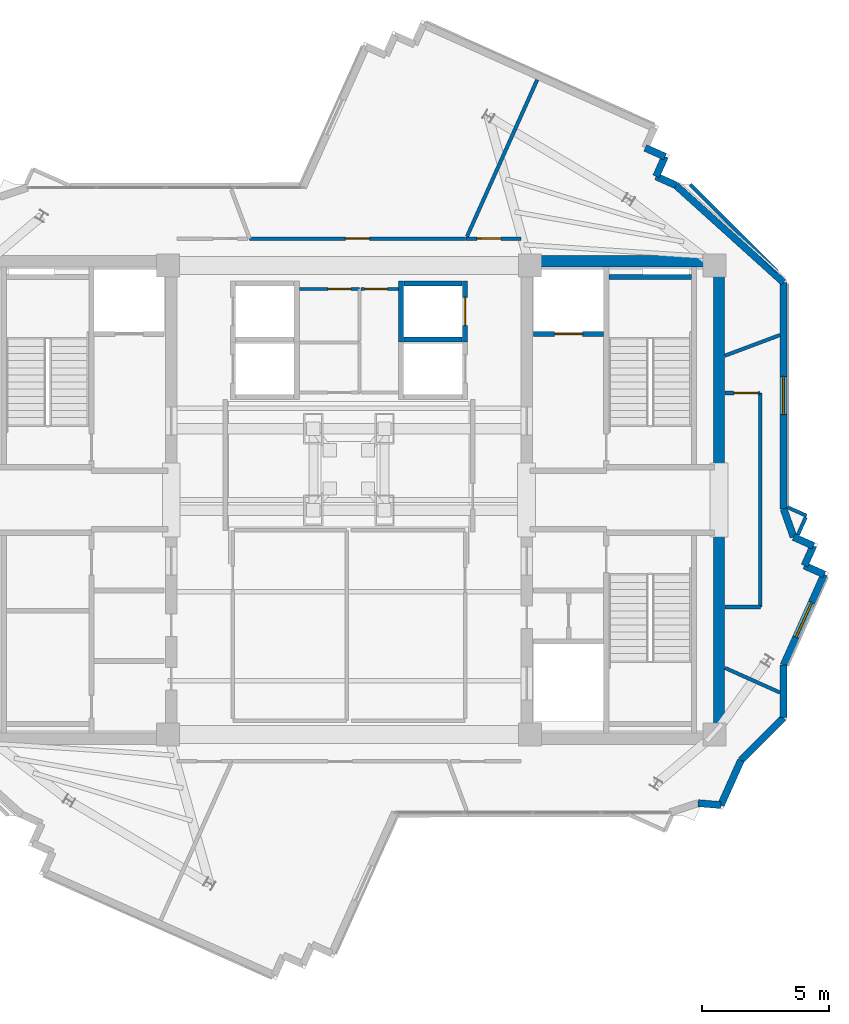
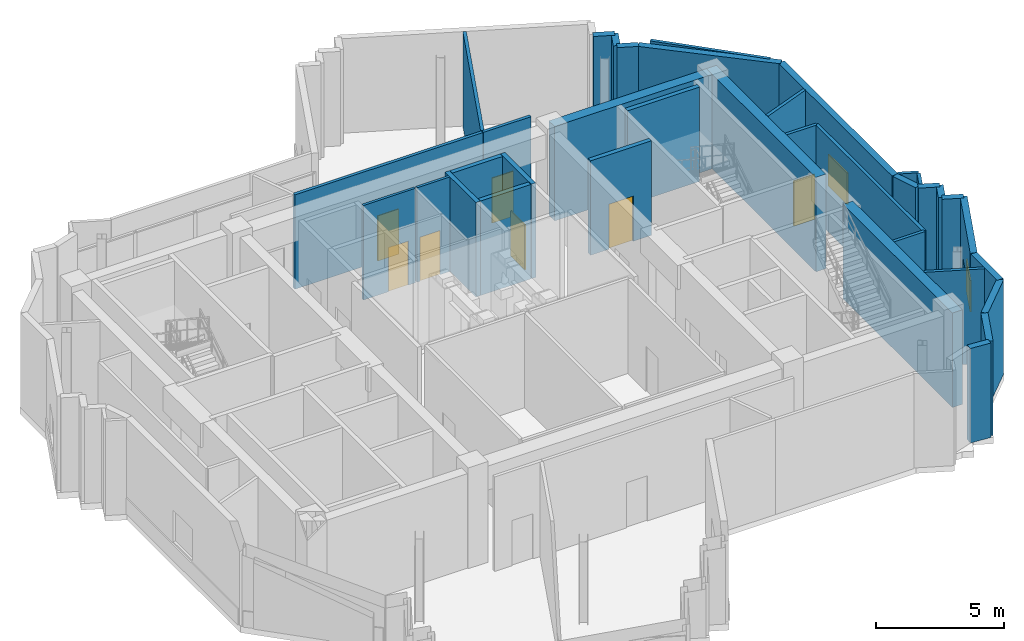
# One storey, part 8 of 11: 36 walls, 7 doors, 2 windows, 9 openings.
"""IFC4 building model written with IfcOpenShell, lengths in metres."""

from ifc_helpers import new_model, si_unit, direction, frame, frame_2d, origin, place, context, subcontext, project, spatial, rectangle, extrude, source, transform, mapped, material, layer, layer_set, type_object, element, fill, save


model = new_model("IFC4")

# Units and contexts
model_context = context("Model", 3, precision=1e-05, world=origin(), true_north=direction((0.0, 1.0)))
body_context = subcontext(model_context, "Body", "Model", "MODEL_VIEW")
ifc_project = project(units=[si_unit("LENGTHUNIT", "METRE"), si_unit("AREAUNIT", "SQUARE_METRE"), si_unit("VOLUMEUNIT", "CUBIC_METRE"), si_unit("PLANEANGLEUNIT", "RADIAN"), si_unit("MASSUNIT", "GRAM", prefix="KILO")], contexts=[model_context])

# Site, building, storey
site_placement = place(None, origin())
site = spatial("IfcSite", under=ifc_project, at=site_placement, CompositionType="ELEMENT")
building_placement = place(site_placement, origin())
building = spatial("IfcBuilding", under=site, at=building_placement, Name="Zahravan Cultural Tower", CompositionType="ELEMENT")
storey_placement = place(building_placement, frame((0.0, 0.0, 361.050048828125)))
storey = spatial("IfcBuildingStorey", under=building, at=storey_placement, Name="L88", CompositionType="ELEMENT", Elevation=361.050048828125)

# Wall, opening, window
ifc_material_1 = material(Name="Precast concrete C40/50", Category="concrete")
ifc_layer_1 = layer(ifc_material_1, 0.280029296875)
ifc_layer_set_1 = layer_set([ifc_layer_1], Name="Precast concrete C40/50")
wall_type_1 = type_object("IfcWallType", Name="EW-TC-280", PredefinedType="SOLIDWALL", material=ifc_layer_set_1)
wall_1_placement = place(storey_placement, frame((53.06005859375, 35.5419921875, 0.0), z_axis=(0.0, 0.0, 1.0), x_axis=(0.0, -1.0, 0.0)))
wall_1 = element("IfcWall", 1, at=wall_1_placement, inside=storey, type_object=wall_type_1, Name="L88 Exterior Masonry Frame Wall 24", PredefinedType="SOLIDWALL", context=body_context, shape_type="SweptSolid", body=[
    extrude(rectangle(XDim=8.887451171875, YDim=0.280029296875, at=frame_2d((4.44384765625, 0.0))), origin(), (0.0, 0.0, 1.0), 4.5),
])
opening_1_placement = place(wall_1_placement, frame((3.694091796875, 0.0, 0.85009765625)))
opening_1 = element("IfcOpeningElement", 2, at=opening_1_placement, cuts=wall_1, Name="Opening WN-03", PredefinedType="OPENING", context=body_context, shape_type="SweptSolid", body=[
    extrude(rectangle(XDim=1.5, YDim=1.5, at=frame_2d((0.75, 0.75))), frame((0.0, 0.14990234375, 0.0), z_axis=(0.0, -1.0, 0.0), x_axis=(1.0, 0.0, 0.0)), (0.0, 0.0, 1.0), 0.300048828125),
])
ifc_material_2 = material(Name="Low-E solar-control double glazing", Category="glass")
window_type = type_object("IfcWindowType", Name="WN-REC-1500X1500", PartitioningType="SINGLE_PANEL", PredefinedType="WINDOW", material=ifc_material_2)
shared_shape_1 = source(origin(), body_context, "Body", "SweptSolid", [
    extrude(rectangle(XDim=1.5, YDim=1.5, at=frame_2d((0.75, 0.75))), frame((0.0, 0.030029296875, 0.0), z_axis=(0.0, -1.0, 0.0), x_axis=(1.0, 0.0, 0.0)), (0.0, 0.0, 1.0), 0.06005859375),
])
window_1_placement = place(opening_1_placement, origin())
window_1 = element("IfcWindow", 3, at=window_1_placement, inside=storey, type_object=window_type, Name="L88 Recessed Solar Window 04", OverallHeight=1.5, OverallWidth=1.5, PartitioningType="SINGLE_PANEL", PredefinedType="WINDOW", context=body_context, shape_type="MappedRepresentation", body=[
    mapped(shared_shape_1, transform((0.0, 0.0, 0.0), x_axis=(1.0, 0.0, 0.0), y_axis=(0.0, 1.0, 0.0), z_axis=(0.0, 0.0, 1.0), scale=1.0)),
])
fill(opening_1, window_1)

wall_2_placement = place(storey_placement, frame((54.655517578125, 24.0771484375, 0.0), z_axis=(0.0, 0.0, 1.0), x_axis=(-0.408847516138, -0.912602711232, 0.0)))
wall_2 = element("IfcWall", 4, at=wall_2_placement, inside=storey, type_object=wall_type_1, Name="L88 Exterior Masonry Frame Wall 29", PredefinedType="SOLIDWALL", context=body_context, shape_type="SweptSolid", body=[
    extrude(rectangle(XDim=3.90234375, YDim=0.280029296875, at=frame_2d((1.951171875, 0.0))), origin(), (0.0, 0.0, 1.0), 4.5),
])
opening_2_placement = place(wall_2_placement, frame((1.200927734375, 0.0, 0.85009765625)))
opening_2 = element("IfcOpeningElement", 5, at=opening_2_placement, cuts=wall_2, Name="Opening WN-03", PredefinedType="OPENING", context=body_context, shape_type="SweptSolid", body=[
    extrude(rectangle(XDim=1.5, YDim=1.5, at=frame_2d((0.75, 0.75))), frame((0.0, 0.14990234375, 0.0), z_axis=(0.0, -1.0, 0.0), x_axis=(1.0, 0.0, 0.0)), (0.0, 0.0, 1.0), 0.300048828125),
])
window_2_placement = place(opening_2_placement, origin())
window_2 = element("IfcWindow", 6, at=window_2_placement, inside=storey, type_object=window_type, Name="L88 Recessed Solar Window 05", OverallHeight=1.5, OverallWidth=1.5, PartitioningType="SINGLE_PANEL", PredefinedType="WINDOW", context=body_context, shape_type="MappedRepresentation", body=[
    mapped(shared_shape_1, transform((0.0, 0.0, 0.0), x_axis=(1.0, 0.0, 0.0), y_axis=(0.0, 1.0, 0.0), z_axis=(0.0, 0.0, 1.0), scale=1.0)),
])
fill(opening_2, window_2)

# Wall, opening, door
ifc_material_3 = material(Name="Gypsum plasterboard partition")
ifc_layer_2 = layer(ifc_material_3, 0.139892578125)
ifc_layer_set_2 = layer_set([ifc_layer_2], Name="Gypsum plasterboard partition")
wall_type_2 = type_object("IfcWallType", Name="W-PART-140", PredefinedType="PARTITIONING", material=ifc_layer_set_2)
wall_3_placement = place(storey_placement, frame((52.13671875, 31.1953125, 0.0), z_axis=(0.0, 0.0, 1.0), x_axis=(-0.999994943164, 0.003180195932, 0.0)))
wall_3 = element("IfcWall", 7, at=wall_3_placement, inside=storey, type_object=wall_type_2, Name="L88 Interior Wall 058", PredefinedType="PARTITIONING", context=body_context, shape_type="SweptSolid", body=[
    extrude(rectangle(XDim=1.3818359375, YDim=0.139892578125, at=frame_2d((0.69091796875, 0.0))), origin(), (0.0, 0.0, 1.0), 4.5),
])
opening_3_placement = place(wall_3_placement, frame((0.0810546875, 0.0, 0.0)))
opening_3 = element("IfcOpeningElement", 8, at=opening_3_placement, cuts=wall_3, Name="Opening D-L88-26", PredefinedType="OPENING", context=body_context, shape_type="SweptSolid", body=[
    extrude(rectangle(XDim=0.949951171875, YDim=2.14990234375, at=frame_2d((0.47509765625, 1.074951171875))), frame((0.0, 0.079833984375, 0.0), z_axis=(0.0, -1.0, 0.0), x_axis=(1.0, 0.0, 0.0)), (0.0, 0.0, 1.0), 0.159912109375),
])
ifc_material_4 = material(Name="Anodised bronze-aluminium mullion", Category="aluminium")
door_type_1 = type_object("IfcDoorType", Name="DR-ROOM-950", OperationType="NOTDEFINED", PredefinedType="DOOR", material=ifc_material_4)
shared_shape_2 = source(origin(), body_context, "Body", "SweptSolid", [
    extrude(rectangle(XDim=0.949951171875, YDim=2.14990234375, at=frame_2d((0.47509765625, 1.074951171875))), frame((0.0, 0.02490234375, 0.0), z_axis=(0.0, -1.0, 0.0), x_axis=(1.0, 0.0, 0.0)), (0.0, 0.0, 1.0), 0.050048828125),
])
door_1_placement = place(opening_3_placement, origin())
door_1 = element("IfcDoor", 9, at=door_1_placement, inside=storey, type_object=door_type_1, Name="L88 Door D-L88-26", OperationType="SINGLE_SWING_RIGHT", OverallHeight=2.14990234375, OverallWidth=0.949951171875, PredefinedType="DOOR", context=body_context, shape_type="MappedRepresentation", body=[
    mapped(shared_shape_2, transform((0.0, 0.0, 0.0), x_axis=(1.0, 0.0, 0.0), y_axis=(0.0, 1.0, 0.0), z_axis=(0.0, 0.0, 1.0), scale=1.0)),
])
fill(opening_3, door_1)

wall_4_placement = place(storey_placement, frame((42.74658203125, 37.2587890625, 0.0), z_axis=(0.0, 0.0, 1.0), x_axis=(-0.999999838805, 0.000567794594, 0.0)))
wall_4 = element("IfcWall", 10, at=wall_4_placement, inside=storey, type_object=wall_type_2, Name="L88 Interior Wall 083", PredefinedType="PARTITIONING", context=body_context, shape_type="SweptSolid", body=[
    extrude(rectangle(XDim=2.14990234375, YDim=0.139892578125, at=frame_2d((1.074951171875, 0.0))), origin(), (0.0, 0.0, 1.0), 4.5),
])
opening_4_placement = place(wall_4_placement, frame((0.780029296875, 0.0, 0.0)))
opening_4 = element("IfcOpeningElement", 11, at=opening_4_placement, cuts=wall_4, Name="Opening D-L88-19", PredefinedType="OPENING", context=body_context, shape_type="SweptSolid", body=[
    extrude(rectangle(XDim=0.949951171875, YDim=2.14990234375, at=frame_2d((0.47509765625, 1.074951171875))), frame((0.0, 0.079833984375, 0.0), z_axis=(0.0, -1.0, 0.0), x_axis=(1.0, 0.0, 0.0)), (0.0, 0.0, 1.0), 0.159912109375),
])
door_2_placement = place(opening_4_placement, origin())
door_2 = element("IfcDoor", 12, at=door_2_placement, inside=storey, type_object=door_type_1, Name="L88 Door D-L88-19", OperationType="SINGLE_SWING_LEFT", OverallHeight=2.14990234375, OverallWidth=0.949951171875, PredefinedType="DOOR", context=body_context, shape_type="MappedRepresentation", body=[
    mapped(shared_shape_2, transform((0.0, 0.0, 0.0), x_axis=(1.0, 0.0, 0.0), y_axis=(0.0, 1.0, 0.0), z_axis=(0.0, 0.0, 1.0), scale=1.0)),
])
fill(opening_4, door_2)

wall_5_placement = place(storey_placement, frame((40.57470703125, 37.260009765625, 0.0), z_axis=(0.0, 0.0, 1.0), x_axis=(-1.0, 0.0, 0.0)))
wall_5 = element("IfcWall", 13, at=wall_5_placement, inside=storey, type_object=wall_type_2, Name="L88 Interior Wall 089", PredefinedType="PARTITIONING", context=body_context, shape_type="SweptSolid", body=[
    extrude(rectangle(XDim=8.4716796875, YDim=0.139892578125, at=frame_2d((4.23583984375, 0.0))), origin(), (0.0, 0.0, 1.0), 4.5),
])
opening_5_placement = place(wall_5_placement, frame((3.760986328125, 0.0, 0.0)))
opening_5 = element("IfcOpeningElement", 14, at=opening_5_placement, cuts=wall_5, Name="Opening D-L88-20", PredefinedType="OPENING", context=body_context, shape_type="SweptSolid", body=[
    extrude(rectangle(XDim=0.949951171875, YDim=2.14990234375, at=frame_2d((0.47509765625, 1.074951171875))), frame((0.0, 0.079833984375, 0.0), z_axis=(0.0, -1.0, 0.0), x_axis=(1.0, 0.0, 0.0)), (0.0, 0.0, 1.0), 0.159912109375),
])
door_3_placement = place(opening_5_placement, origin())
door_3 = element("IfcDoor", 15, at=door_3_placement, inside=storey, type_object=door_type_1, Name="L88 Door D-L88-20", OperationType="SINGLE_SWING_RIGHT", OverallHeight=2.14990234375, OverallWidth=0.949951171875, PredefinedType="DOOR", context=body_context, shape_type="MappedRepresentation", body=[
    mapped(shared_shape_2, transform((0.0, 0.0, 0.0), x_axis=(1.0, 0.0, 0.0), y_axis=(0.0, 1.0, 0.0), z_axis=(0.0, 0.0, 1.0), scale=1.0)),
])
fill(opening_5, door_3)

ifc_material_5 = material(Name="Concrete C45/55", Category="concrete")
ifc_layer_3 = layer(ifc_material_5, 0.199951171875)
ifc_layer_set_3 = layer_set([ifc_layer_3], Name="Concrete C45/55")
wall_type_3 = type_object("IfcWallType", Name="W-SHAFT-200", PredefinedType="SOLIDWALL", material=ifc_layer_set_3)
wall_6_placement = place(storey_placement, frame((43.25, 33.52001953125, 0.0), z_axis=(0.0, 0.0, 1.0), x_axis=(1.0, 0.0, 0.0)))
wall_6 = element("IfcWall", 16, at=wall_6_placement, inside=storey, type_object=wall_type_3, Name="L88 Interior Wall 023", PredefinedType="SOLIDWALL", context=body_context, shape_type="SweptSolid", body=[
    extrude(rectangle(XDim=2.75, YDim=0.199951171875, at=frame_2d((1.375, 0.0))), origin(), (0.0, 0.0, 1.0), 4.5),
])
opening_6_placement = place(wall_6_placement, frame((0.820068359375, 0.0, 0.0)))
opening_6 = element("IfcOpeningElement", 17, at=opening_6_placement, cuts=wall_6, Name="Opening LD-L88-02", PredefinedType="OPENING", context=body_context, shape_type="SweptSolid", body=[
    extrude(rectangle(XDim=1.10009765625, YDim=2.14990234375, at=frame_2d((0.550048828125, 1.074951171875))), frame((0.0, 0.10986328125, 0.0), z_axis=(0.0, -1.0, 0.0), x_axis=(1.0, 0.0, 0.0)), (0.0, 0.0, 1.0), 0.219970703125),
])
ifc_material_6 = material(Name="Steel ASTM A572 Grade 50", Category="steel")
door_type_2 = type_object("IfcDoorType", Name="DR-LIFT-1100", OperationType="DOUBLE_DOOR_SLIDING", PredefinedType="DOOR", material=ifc_material_6)
shared_shape_3 = source(origin(), body_context, "Body", "SweptSolid", [
    extrude(rectangle(XDim=1.10009765625, YDim=2.14990234375, at=frame_2d((0.550048828125, 1.074951171875))), frame((0.0, 0.02490234375, 0.0), z_axis=(0.0, -1.0, 0.0), x_axis=(1.0, 0.0, 0.0)), (0.0, 0.0, 1.0), 0.050048828125),
])
door_4_placement = place(opening_6_placement, origin())
door_4 = element("IfcDoor", 18, at=door_4_placement, inside=storey, type_object=door_type_2, Name="L88 Door LD-L88-02", OperationType="DOUBLE_DOOR_SLIDING", OverallHeight=2.14990234375, OverallWidth=1.10009765625, PredefinedType="DOOR", context=body_context, shape_type="MappedRepresentation", body=[
    mapped(shared_shape_3, transform((0.0, 0.0, 0.0), x_axis=(1.0, 0.0, 0.0), y_axis=(0.0, 1.0, 0.0), z_axis=(0.0, 0.0, 1.0), scale=1.0)),
])
fill(opening_6, door_4)

wall_7_placement = place(storey_placement, frame((40.550048828125, 33.199951171875, 0.0), z_axis=(0.0, 0.0, 1.0), x_axis=(0.0, 1.0, 0.0)))
wall_7 = element("IfcWall", 19, at=wall_7_placement, inside=storey, type_object=wall_type_3, Name="L88 Interior Wall 037", PredefinedType="SOLIDWALL", context=body_context, shape_type="SweptSolid", body=[
    extrude(rectangle(XDim=2.400146484375, YDim=0.199951171875, at=frame_2d((1.2001953125, 0.0))), origin(), (0.0, 0.0, 1.0), 4.5),
])
opening_7_placement = place(wall_7_placement, frame((0.64990234375, 0.0, 0.0)))
opening_7 = element("IfcOpeningElement", 20, at=opening_7_placement, cuts=wall_7, Name="Opening LD-L88-06", PredefinedType="OPENING", context=body_context, shape_type="SweptSolid", body=[
    extrude(rectangle(XDim=1.10009765625, YDim=2.14990234375, at=frame_2d((0.550048828125, 1.074951171875))), frame((0.0, 0.10986328125, 0.0), z_axis=(0.0, -1.0, 0.0), x_axis=(1.0, 0.0, 0.0)), (0.0, 0.0, 1.0), 0.219970703125),
])
door_5_placement = place(opening_7_placement, origin())
door_5 = element("IfcDoor", 21, at=door_5_placement, inside=storey, type_object=door_type_2, Name="L88 Door LD-L88-06", OperationType="DOUBLE_DOOR_SLIDING", OverallHeight=2.14990234375, OverallWidth=1.10009765625, PredefinedType="DOOR", context=body_context, shape_type="MappedRepresentation", body=[
    mapped(shared_shape_3, transform((0.0, 0.0, 0.0), x_axis=(1.0, 0.0, 0.0), y_axis=(0.0, 1.0, 0.0), z_axis=(0.0, 0.0, 1.0), scale=1.0)),
])
fill(opening_7, door_5)

ifc_layer_4 = layer(ifc_material_3, 0.114990234375)
ifc_layer_set_4 = layer_set([ifc_layer_4], Name="Gypsum plasterboard partition")
wall_type_4 = type_object("IfcWallType", Name="W-WC-115", PredefinedType="PARTITIONING", material=ifc_layer_set_4)
wall_8_placement = place(storey_placement, frame((34.054931640625, 35.280029296875, 0.0), z_axis=(0.0, 0.0, 1.0), x_axis=(1.0, 0.0, 0.0)))
wall_8 = element("IfcWall", 22, at=wall_8_placement, inside=storey, type_object=wall_type_4, Name="L88 Interior Wall 046", PredefinedType="PARTITIONING", context=body_context, shape_type="SweptSolid", body=[
    extrude(rectangle(XDim=2.35498046875, YDim=0.114990234375, at=frame_2d((1.177490234375, 0.0))), origin(), (0.0, 0.0, 1.0), 4.5),
])
opening_8_placement = place(wall_8_placement, frame((1.120849609375, 0.0, 0.0)))
opening_8 = element("IfcOpeningElement", 23, at=opening_8_placement, cuts=wall_8, Name="Opening D-L88-16", PredefinedType="OPENING", context=body_context, shape_type="SweptSolid", body=[
    extrude(rectangle(XDim=0.89990234375, YDim=2.10009765625, at=frame_2d((0.449951171875, 1.050048828125))), frame((0.0, 0.0673828125, 0.0), z_axis=(0.0, -1.0, 0.0), x_axis=(1.0, 0.0, 0.0)), (0.0, 0.0, 1.0), 0.135009765625),
])
door_type_3 = type_object("IfcDoorType", Name="DR-WC-900", OperationType="NOTDEFINED", PredefinedType="DOOR", material=ifc_material_4)
shared_shape_4 = source(origin(), body_context, "Body", "SweptSolid", [
    extrude(rectangle(XDim=0.89990234375, YDim=2.10009765625, at=frame_2d((0.449951171875, 1.050048828125))), frame((0.0, 0.02490234375, 0.0), z_axis=(0.0, -1.0, 0.0), x_axis=(1.0, 0.0, 0.0)), (0.0, 0.0, 1.0), 0.050048828125),
])
door_6_placement = place(opening_8_placement, origin())
door_6 = element("IfcDoor", 24, at=door_6_placement, inside=storey, type_object=door_type_3, Name="L88 Door D-L88-16", OperationType="SINGLE_SWING_RIGHT", OverallHeight=2.10009765625, OverallWidth=0.89990234375, PredefinedType="DOOR", context=body_context, shape_type="MappedRepresentation", body=[
    mapped(shared_shape_4, transform((0.0, 0.0, 0.0), x_axis=(1.0, 0.0, 0.0), y_axis=(0.0, 1.0, 0.0), z_axis=(0.0, 0.0, 1.0), scale=1.0)),
])
fill(opening_8, door_6)

wall_9_placement = place(storey_placement, frame((36.472412109375, 35.280029296875, 0.0), z_axis=(0.0, 0.0, 1.0), x_axis=(1.0, 0.0, 0.0)))
wall_9 = element("IfcWall", 25, at=wall_9_placement, inside=storey, type_object=wall_type_4, Name="L88 Interior Wall 049", PredefinedType="PARTITIONING", context=body_context, shape_type="SweptSolid", body=[
    extrude(rectangle(XDim=1.47265625, YDim=0.114990234375, at=frame_2d((0.736328125, 0.0))), origin(), (0.0, 0.0, 1.0), 4.5),
])
opening_9_placement = place(wall_9_placement, frame((0.139892578125, 0.0, 0.0)))
opening_9 = element("IfcOpeningElement", 26, at=opening_9_placement, cuts=wall_9, Name="Opening D-L88-17", PredefinedType="OPENING", context=body_context, shape_type="SweptSolid", body=[
    extrude(rectangle(XDim=0.89990234375, YDim=2.10009765625, at=frame_2d((0.449951171875, 1.050048828125))), frame((0.0, 0.0673828125, 0.0), z_axis=(0.0, -1.0, 0.0), x_axis=(1.0, 0.0, 0.0)), (0.0, 0.0, 1.0), 0.135009765625),
])
door_7_placement = place(opening_9_placement, origin())
door_7 = element("IfcDoor", 27, at=door_7_placement, inside=storey, type_object=door_type_3, Name="L88 Door D-L88-17", OperationType="SINGLE_SWING_LEFT", OverallHeight=2.10009765625, OverallWidth=0.89990234375, PredefinedType="DOOR", context=body_context, shape_type="MappedRepresentation", body=[
    mapped(shared_shape_4, transform((0.0, 0.0, 0.0), x_axis=(1.0, 0.0, 0.0), y_axis=(0.0, 1.0, 0.0), z_axis=(0.0, 0.0, 1.0), scale=1.0)),
])
fill(opening_9, door_7)

# Walls
ifc_material_7 = material(Name="Concrete C50/60", Category="concrete")
ifc_layer_5 = layer(ifc_material_7, 0.449951171875)
ifc_layer_set_5 = layer_set([ifc_layer_5], Name="Concrete C50/60")
wall_type_5 = type_object("IfcWallType", Name="CW-SHEAR-450-C50", PredefinedType="SHEAR", material=ifc_layer_set_5)
shared_shape_5 = source(origin(), body_context, "Body", "SweptSolid", [
    extrude(rectangle(XDim=8.550048828125, YDim=0.449951171875, at=frame_2d((4.27490234375, 0.0))), origin(), (0.0, 0.0, 1.0), 4.5),
])
for number, where, z_axis, x_axis, name in (
    (28, (50.52490234375, 17.39990234375, 0.0), (0.0, 0.0, 1.0), (0.0, 1.0, 0.0), "L88 Core Shear Wall CW-E-ES-L88"),
    (29, (50.52490234375, 28.050048828125, 0.0), (0.0, 0.0, 1.0), (0.0, 1.0, 0.0), "L88 Core Shear Wall CW-E-EN-L88"),
):
    element("IfcWall", number, at=place(storey_placement, frame(where, z_axis=z_axis, x_axis=x_axis)), inside=storey, type_object=wall_type_5, Name=name, PredefinedType="SHEAR", context=body_context, shape_type="MappedRepresentation", body=[
        mapped(shared_shape_5, transform((0.0, 0.0, 0.0), x_axis=(1.0, 0.0, 0.0), y_axis=(0.0, 1.0, 0.0), z_axis=(0.0, 0.0, 1.0), scale=1.0)),
    ])
shared_shape_6 = source(origin(), body_context, "Body", "SweptSolid", [
    extrude(rectangle(XDim=7.10009765625, YDim=0.449951171875, at=frame_2d((3.550048828125, 0.0))), origin(), (0.0, 0.0, 1.0), 4.5),
])
wall_10_placement = place(storey_placement, frame((43.199951171875, 36.375, 0.0), z_axis=(0.0, 0.0, 1.0), x_axis=(1.0, 0.0, 0.0)))
element("IfcWall", 30, at=wall_10_placement, inside=storey, type_object=wall_type_5, Name="L88 Core Shear Wall CW-E-N-L88", PredefinedType="SHEAR", context=body_context, shape_type="MappedRepresentation", body=[
    mapped(shared_shape_6, transform((0.0, 0.0, 0.0), x_axis=(1.0, 0.0, 0.0), y_axis=(0.0, 1.0, 0.0), z_axis=(0.0, 0.0, 1.0), scale=1.0)),
])
shared_shape_7 = source(origin(), body_context, "Body", "SweptSolid", [
    extrude(rectangle(XDim=5.69189453125, YDim=0.280029296875, at=frame_2d((2.845947265625, 0.0))), origin(), (0.0, 0.0, 1.0), 4.5),
])
wall_11_placement = place(storey_placement, frame((48.832275390625, 39.35302734375, 0.0), z_axis=(0.0, 0.0, 1.0), x_axis=(0.742767121681, -0.669549850981, 0.0)))
element("IfcWall", 31, at=wall_11_placement, inside=storey, type_object=wall_type_1, Name="L88 Exterior Masonry Frame Wall 23", PredefinedType="SOLIDWALL", context=body_context, shape_type="MappedRepresentation", body=[
    mapped(shared_shape_7, transform((0.0, 0.0, 0.0), x_axis=(1.0, 0.0, 0.0), y_axis=(0.0, 1.0, 0.0), z_axis=(0.0, 0.0, 1.0), scale=1.0)),
])
shared_shape_8 = source(origin(), body_context, "Body", "SweptSolid", [
    extrude(rectangle(XDim=1.173828125, YDim=0.280029296875, at=frame_2d((0.5869140625, 0.0))), origin(), (0.0, 0.0, 1.0), 4.5),
])
wall_12_placement = place(storey_placement, frame((53.06005859375, 26.654541015625, 0.0), z_axis=(0.0, 0.0, 1.0), x_axis=(0.333581493928, -0.942721266817, 0.0)))
element("IfcWall", 32, at=wall_12_placement, inside=storey, type_object=wall_type_1, Name="L88 Exterior Masonry Frame Wall 25", PredefinedType="SOLIDWALL", context=body_context, shape_type="MappedRepresentation", body=[
    mapped(shared_shape_8, transform((0.0, 0.0, 0.0), x_axis=(1.0, 0.0, 0.0), y_axis=(0.0, 1.0, 0.0), z_axis=(0.0, 0.0, 1.0), scale=1.0)),
])
shared_shape_9 = source(origin(), body_context, "Body", "SweptSolid", [
    extrude(rectangle(XDim=0.85009765625, YDim=0.280029296875, at=frame_2d((0.425048828125, 0.0))), origin(), (0.0, 0.0, 1.0), 4.5),
])
for number, where, z_axis, x_axis, name in (
    (33, (47.62841796875, 40.823974609375, 0.0), (0.0, 0.0, 1.0), (0.912527808644, -0.409014667771, 0.0), "L88 Exterior Masonry Frame Wall 20"),
    (34, (48.056640625, 39.70068359375, 0.0), (0.0, 0.0, 1.0), (0.912527808644, -0.409014667771, 0.0), "L88 Exterior Masonry Frame Wall 22"),
    (35, (53.45166015625, 25.5478515625, 0.0), (0.0, 0.0, 1.0), (0.912527808644, -0.409014667771, 0.0), "L88 Exterior Masonry Frame Wall 26"),
):
    element("IfcWall", number, at=place(storey_placement, frame(where, z_axis=z_axis, x_axis=x_axis)), inside=storey, type_object=wall_type_1, Name=name, PredefinedType="SOLIDWALL", context=body_context, shape_type="MappedRepresentation", body=[
        mapped(shared_shape_9, transform((0.0, 0.0, 0.0), x_axis=(1.0, 0.0, 0.0), y_axis=(0.0, 1.0, 0.0), z_axis=(0.0, 0.0, 1.0), scale=1.0)),
    ])
shared_shape_10 = source(origin(), body_context, "Body", "SweptSolid", [
    extrude(rectangle(XDim=0.849853515625, YDim=0.280029296875, at=frame_2d((0.4248046875, 0.0))), origin(), (0.0, 0.0, 1.0), 4.5),
])
for number, where, z_axis, x_axis, name in (
    (36, (48.404052734375, 40.476318359375, 0.0), (0.0, 0.0, 1.0), (-0.408775447691, -0.912634994598, 0.0), "L88 Exterior Masonry Frame Wall 21"),
    (37, (54.227294921875, 25.2001953125, 0.0), (0.0, 0.0, 1.0), (-0.408775447691, -0.912634994598, 0.0), "L88 Exterior Masonry Frame Wall 27"),
    (38, (53.8798828125, 24.424560546875, 0.0), (0.0, 0.0, 1.0), (0.912634994598, -0.408775447691, 0.0), "L88 Exterior Masonry Frame Wall 28"),
):
    element("IfcWall", number, at=place(storey_placement, frame(where, z_axis=z_axis, x_axis=x_axis)), inside=storey, type_object=wall_type_1, Name=name, PredefinedType="SOLIDWALL", context=body_context, shape_type="MappedRepresentation", body=[
        mapped(shared_shape_10, transform((0.0, 0.0, 0.0), x_axis=(1.0, 0.0, 0.0), y_axis=(0.0, 1.0, 0.0), z_axis=(0.0, 0.0, 1.0), scale=1.0)),
    ])
shared_shape_11 = source(origin(), body_context, "Body", "SweptSolid", [
    extrude(rectangle(XDim=2.057861328125, YDim=0.280029296875, at=frame_2d((1.02880859375, 0.0))), origin(), (0.0, 0.0, 1.0), 4.5),
])
wall_13_placement = place(storey_placement, frame((53.06005859375, 20.515869140625, 0.0), z_axis=(0.0, 0.0, 1.0), x_axis=(0.0, -1.0, 0.0)))
element("IfcWall", 39, at=wall_13_placement, inside=storey, type_object=wall_type_1, Name="L88 Exterior Masonry Frame Wall 30", PredefinedType="SOLIDWALL", context=body_context, shape_type="MappedRepresentation", body=[
    mapped(shared_shape_11, transform((0.0, 0.0, 0.0), x_axis=(1.0, 0.0, 0.0), y_axis=(0.0, 1.0, 0.0), z_axis=(0.0, 0.0, 1.0), scale=1.0)),
])
shared_shape_12 = source(origin(), body_context, "Body", "SweptSolid", [
    extrude(rectangle(XDim=2.3623046875, YDim=0.280029296875, at=frame_2d((1.18115234375, 0.0))), origin(), (0.0, 0.0, 1.0), 4.5),
])
wall_14_placement = place(storey_placement, frame((53.06005859375, 18.4580078125, 0.0), z_axis=(0.0, 0.0, 1.0), x_axis=(-0.707106781187, -0.707106781187, 0.0)))
element("IfcWall", 40, at=wall_14_placement, inside=storey, type_object=wall_type_1, Name="L88 Exterior Masonry Frame Wall 31", PredefinedType="SOLIDWALL", context=body_context, shape_type="MappedRepresentation", body=[
    mapped(shared_shape_12, transform((0.0, 0.0, 0.0), x_axis=(1.0, 0.0, 0.0), y_axis=(0.0, 1.0, 0.0), z_axis=(0.0, 0.0, 1.0), scale=1.0)),
])
shared_shape_13 = source(origin(), body_context, "Body", "SweptSolid", [
    extrude(rectangle(XDim=1.932373046875, YDim=0.280029296875, at=frame_2d((0.96630859375, 0.0))), origin(), (0.0, 0.0, 1.0), 4.5),
])
wall_15_placement = place(storey_placement, frame((51.3896484375, 16.78759765625, 0.0), z_axis=(0.0, 0.0, 1.0), x_axis=(-0.408856367363, -0.912598745817, 0.0)))
element("IfcWall", 41, at=wall_15_placement, inside=storey, type_object=wall_type_1, Name="L88 Exterior Masonry Frame Wall 32", PredefinedType="SOLIDWALL", context=body_context, shape_type="MappedRepresentation", body=[
    mapped(shared_shape_13, transform((0.0, 0.0, 0.0), x_axis=(1.0, 0.0, 0.0), y_axis=(0.0, 1.0, 0.0), z_axis=(0.0, 0.0, 1.0), scale=1.0)),
])
shared_shape_14 = source(origin(), body_context, "Body", "SweptSolid", [
    extrude(rectangle(XDim=0.900390625, YDim=0.280029296875, at=frame_2d((0.4501953125, 0.0))), origin(), (0.0, 0.0, 1.0), 4.5),
])
wall_16_placement = place(storey_placement, frame((50.599609375, 15.024169921875, 0.0), z_axis=(0.0, 0.0, 1.0), x_axis=(-0.996415533388, 0.084593645284, 0.0)))
element("IfcWall", 42, at=wall_16_placement, inside=storey, type_object=wall_type_1, Name="L88 Exterior Masonry Frame Wall 33", PredefinedType="SOLIDWALL", context=body_context, shape_type="MappedRepresentation", body=[
    mapped(shared_shape_14, transform((0.0, 0.0, 0.0), x_axis=(1.0, 0.0, 0.0), y_axis=(0.0, 1.0, 0.0), z_axis=(0.0, 0.0, 1.0), scale=1.0)),
])
shared_shape_15 = source(origin(), body_context, "Body", "SweptSolid", [
    extrude(rectangle(XDim=3.25, YDim=0.199951171875, at=frame_2d((1.625, 0.0))), origin(), (0.0, 0.0, 1.0), 4.5),
])
wall_17_placement = place(storey_placement, frame((46.199951171875, 35.75, 0.0), z_axis=(0.0, 0.0, 1.0), x_axis=(1.0, 0.0, 0.0)))
element("IfcWall", 43, at=wall_17_placement, inside=storey, type_object=wall_type_3, Name="L88 Interior Wall 018", PredefinedType="SOLIDWALL", context=body_context, shape_type="MappedRepresentation", body=[
    mapped(shared_shape_15, transform((0.0, 0.0, 0.0), x_axis=(1.0, 0.0, 0.0), y_axis=(0.0, 1.0, 0.0), z_axis=(0.0, 0.0, 1.0), scale=1.0)),
])
shared_shape_16 = source(origin(), body_context, "Body", "SweptSolid", [
    extrude(rectangle(XDim=2.400146484375, YDim=0.199951171875, at=frame_2d((1.2001953125, 0.0))), origin(), (0.0, 0.0, 1.0), 4.5),
])
wall_18_placement = place(storey_placement, frame((38.050048828125, 33.199951171875, 0.0), z_axis=(0.0, 0.0, 1.0), x_axis=(0.0, 1.0, 0.0)))
element("IfcWall", 44, at=wall_18_placement, inside=storey, type_object=wall_type_3, Name="L88 Interior Wall 036", PredefinedType="SOLIDWALL", context=body_context, shape_type="MappedRepresentation", body=[
    mapped(shared_shape_16, transform((0.0, 0.0, 0.0), x_axis=(1.0, 0.0, 0.0), y_axis=(0.0, 1.0, 0.0), z_axis=(0.0, 0.0, 1.0), scale=1.0)),
])
shared_shape_17 = source(origin(), body_context, "Body", "SweptSolid", [
    extrude(rectangle(XDim=2.260009765625, YDim=0.199951171875, at=frame_2d((1.1298828125, 0.0))), origin(), (0.0, 0.0, 1.0), 4.5),
])
for number, where, z_axis, x_axis, name in (
    (45, (38.169921875, 33.300048828125, 0.0), (0.0, 0.0, 1.0), (1.0, 0.0, 0.0), "L88 Interior Wall 038"),
    (46, (38.169921875, 35.5, 0.0), (0.0, 0.0, 1.0), (1.0, 0.0, 0.0), "L88 Interior Wall 039"),
):
    element("IfcWall", number, at=place(storey_placement, frame(where, z_axis=z_axis, x_axis=x_axis)), inside=storey, type_object=wall_type_3, Name=name, PredefinedType="SOLIDWALL", context=body_context, shape_type="MappedRepresentation", body=[
        mapped(shared_shape_17, transform((0.0, 0.0, 0.0), x_axis=(1.0, 0.0, 0.0), y_axis=(0.0, 1.0, 0.0), z_axis=(0.0, 0.0, 1.0), scale=1.0)),
    ])
shared_shape_18 = source(origin(), body_context, "Body", "SweptSolid", [
    extrude(rectangle(XDim=2.366943359375, YDim=0.139892578125, at=frame_2d((1.18359375, 0.0))), origin(), (0.0, 0.0, 1.0), 4.5),
])
wall_19_placement = place(storey_placement, frame((52.9150390625, 19.443603515625, 0.0), z_axis=(0.0, 0.0, 1.0), x_axis=(-0.912599576991, 0.408854512115, 0.0)))
element("IfcWall", 47, at=wall_19_placement, inside=storey, type_object=wall_type_2, Name="L88 Interior Wall 062", PredefinedType="PARTITIONING", context=body_context, shape_type="MappedRepresentation", body=[
    mapped(shared_shape_18, transform((0.0, 0.0, 0.0), x_axis=(1.0, 0.0, 0.0), y_axis=(0.0, 1.0, 0.0), z_axis=(0.0, 0.0, 1.0), scale=1.0)),
])
shared_shape_19 = source(origin(), body_context, "Body", "SweptSolid", [
    extrude(rectangle(XDim=2.30712890625, YDim=0.139892578125, at=frame_2d((1.153564453125, 0.0))), origin(), (0.0, 0.0, 1.0), 4.5),
])
wall_20_placement = place(storey_placement, frame((50.7548828125, 32.662841796875, 0.0), z_axis=(0.0, 0.0, 1.0), x_axis=(0.936329177569, 0.351123441588, 0.0)))
element("IfcWall", 48, at=wall_20_placement, inside=storey, type_object=wall_type_2, Name="L88 Interior Wall 059", PredefinedType="PARTITIONING", context=body_context, shape_type="MappedRepresentation", body=[
    mapped(shared_shape_19, transform((0.0, 0.0, 0.0), x_axis=(1.0, 0.0, 0.0), y_axis=(0.0, 1.0, 0.0), z_axis=(0.0, 0.0, 1.0), scale=1.0)),
])
shared_shape_20 = source(origin(), body_context, "Body", "SweptSolid", [
    extrude(rectangle(XDim=0.824951171875, YDim=0.139892578125, at=frame_2d((0.41259765625, 0.0))), origin(), (0.0, 0.0, 1.0), 4.5),
])
wall_21_placement = place(storey_placement, frame((53.205078125, 26.72119140625, 0.0), z_axis=(0.0, 0.0, 1.0), x_axis=(0.912513134147, -0.409047405576, 0.0)))
element("IfcWall", 49, at=wall_21_placement, inside=storey, type_object=wall_type_2, Name="L88 Interior Wall 060", PredefinedType="PARTITIONING", context=body_context, shape_type="MappedRepresentation", body=[
    mapped(shared_shape_20, transform((0.0, 0.0, 0.0), x_axis=(1.0, 0.0, 0.0), y_axis=(0.0, 1.0, 0.0), z_axis=(0.0, 0.0, 1.0), scale=1.0)),
])
shared_shape_21 = source(origin(), body_context, "Body", "SweptSolid", [
    extrude(rectangle(XDim=0.7490234375, YDim=0.139892578125, at=frame_2d((0.37451171875, 0.0))), origin(), (0.0, 0.0, 1.0), 4.5),
])
wall_22_placement = place(storey_placement, frame((53.927001953125, 26.3154296875, 0.0), z_axis=(0.0, 0.0, 1.0), x_axis=(-0.408737677389, -0.912651911236, 0.0)))
element("IfcWall", 50, at=wall_22_placement, inside=storey, type_object=wall_type_2, Name="L88 Interior Wall 061", PredefinedType="PARTITIONING", context=body_context, shape_type="MappedRepresentation", body=[
    mapped(shared_shape_21, transform((0.0, 0.0, 0.0), x_axis=(1.0, 0.0, 0.0), y_axis=(0.0, 1.0, 0.0), z_axis=(0.0, 0.0, 1.0), scale=1.0)),
])
shared_shape_22 = source(origin(), body_context, "Body", "SweptSolid", [
    extrude(rectangle(XDim=8.394287109375, YDim=0.139892578125, at=frame_2d((4.197265625, 0.0))), origin(), (0.0, 0.0, 1.0), 4.5),
])
wall_23_placement = place(storey_placement, frame((52.14892578125, 22.801025390625, 0.0), z_axis=(0.0, 0.0, 1.0), x_axis=(-2.908414e-05, 0.999999999577, 0.0)))
element("IfcWall", 51, at=wall_23_placement, inside=storey, type_object=wall_type_2, Name="L88 Interior Wall 057", PredefinedType="PARTITIONING", context=body_context, shape_type="MappedRepresentation", body=[
    mapped(shared_shape_22, transform((0.0, 0.0, 0.0), x_axis=(1.0, 0.0, 0.0), y_axis=(0.0, 1.0, 0.0), z_axis=(0.0, 0.0, 1.0), scale=1.0)),
])
shared_shape_23 = source(origin(), body_context, "Body", "SweptSolid", [
    extrude(rectangle(XDim=1.39404296875, YDim=0.139892578125, at=frame_2d((0.697021484375, 0.0))), origin(), (0.0, 0.0, 1.0), 4.5),
])
wall_24_placement = place(storey_placement, frame((50.7548828125, 22.800048828125, 0.0), z_axis=(0.0, 0.0, 1.0), x_axis=(0.999999754632, 0.000700525222, 0.0)))
element("IfcWall", 52, at=wall_24_placement, inside=storey, type_object=wall_type_2, Name="L88 Interior Wall 063", PredefinedType="PARTITIONING", context=body_context, shape_type="MappedRepresentation", body=[
    mapped(shared_shape_23, transform((0.0, 0.0, 0.0), x_axis=(1.0, 0.0, 0.0), y_axis=(0.0, 1.0, 0.0), z_axis=(0.0, 0.0, 1.0), scale=1.0)),
])
shared_shape_24 = source(origin(), body_context, "Body", "SweptSolid", [
    extrude(rectangle(XDim=6.749755859375, YDim=0.139892578125, at=frame_2d((3.375, 0.0))), origin(), (0.0, 0.0, 1.0), 4.5),
])
wall_25_placement = place(storey_placement, frame((40.63037109375, 37.335205078125, 0.0), z_axis=(0.0, 0.0, 1.0), x_axis=(0.408861688893, 0.912596361682, 0.0)))
element("IfcWall", 53, at=wall_25_placement, inside=storey, type_object=wall_type_2, Name="L88 Interior Wall 084", PredefinedType="PARTITIONING", context=body_context, shape_type="MappedRepresentation", body=[
    mapped(shared_shape_24, transform((0.0, 0.0, 0.0), x_axis=(1.0, 0.0, 0.0), y_axis=(0.0, 1.0, 0.0), z_axis=(0.0, 0.0, 1.0), scale=1.0)),
])
shared_shape_25 = source(origin(), body_context, "Body", "SweptSolid", [
    extrude(rectangle(XDim=4.826416015625, YDim=0.139892578125, at=frame_2d((2.4130859375, 0.0))), origin(), (0.0, 0.0, 1.0), 4.5),
])
wall_26_placement = place(storey_placement, frame((49.39208984375, 39.3798828125, 0.0), z_axis=(0.0, 0.0, 1.0), x_axis=(0.707081488078, -0.70713207339, 0.0)))
element("IfcWall", 54, at=wall_26_placement, inside=storey, type_object=wall_type_2, Name="L88 Interior Wall 085", PredefinedType="PARTITIONING", context=body_context, shape_type="MappedRepresentation", body=[
    mapped(shared_shape_25, transform((0.0, 0.0, 0.0), x_axis=(1.0, 0.0, 0.0), y_axis=(0.0, 1.0, 0.0), z_axis=(0.0, 0.0, 1.0), scale=1.0)),
])

save(model, "model.ifc")
